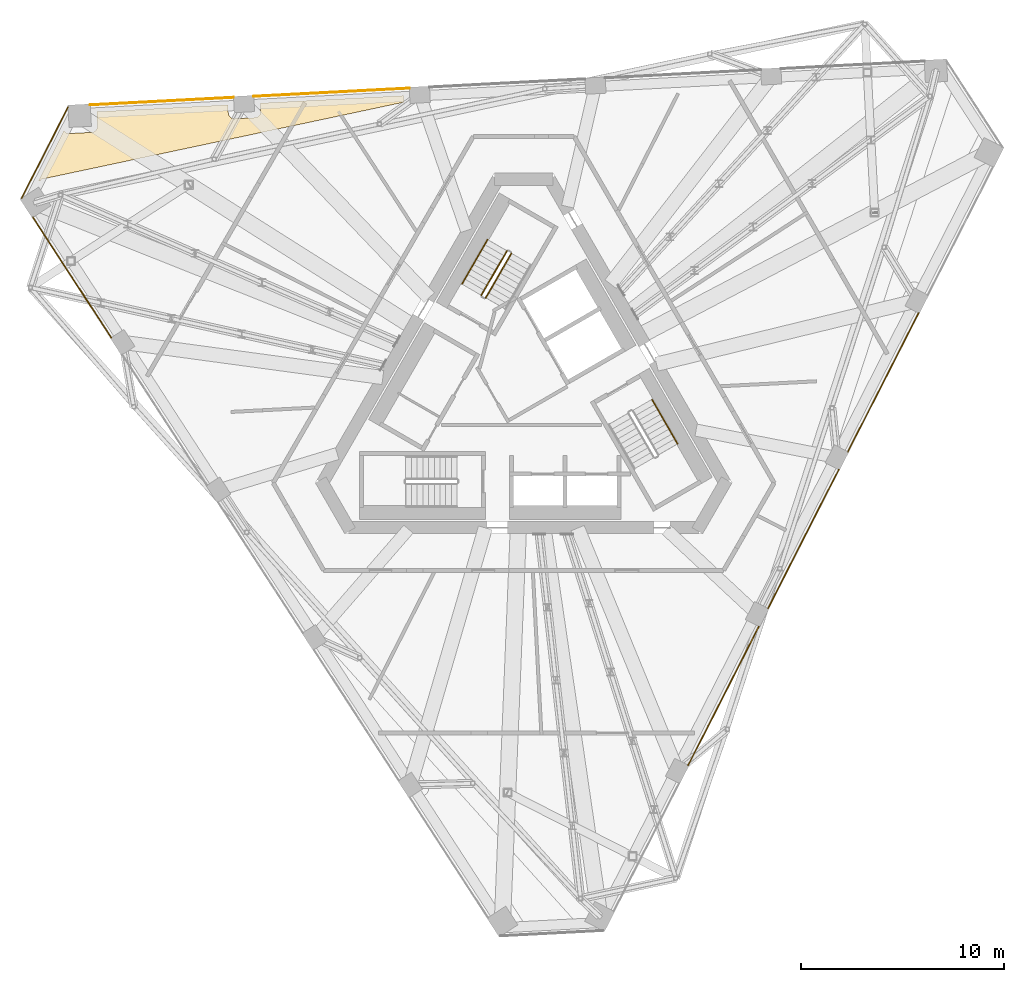
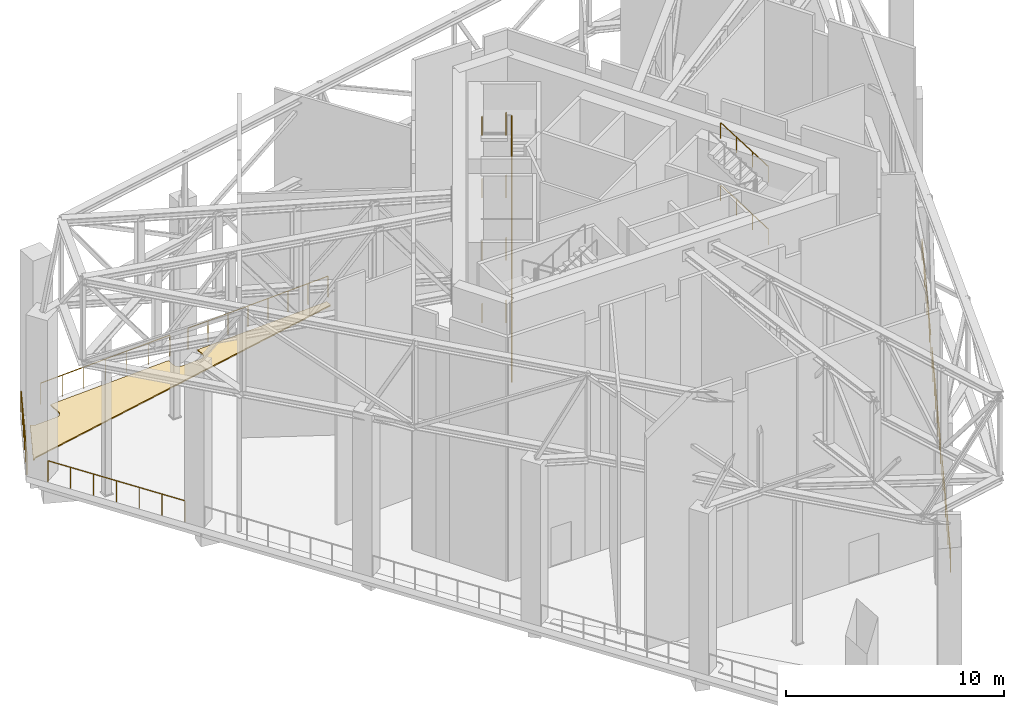
# One storey, part 22 of 23: 21 railings, 2 coverings.
"""IFC4 building model written with IfcOpenShell, lengths in metres."""

from ifc_helpers import new_model, si_unit, direction, frame, origin, origin_2d, place, context, subcontext, project, spatial, polyline, circle, outline, extrude, material, layer, layer_set, type_object, element, save


model = new_model("IFC4")

# Units and contexts
model_context = context("Model", 3, precision=1e-05, world=origin(), true_north=direction((0.0, 1.0)))
body_context = subcontext(model_context, "Body", "Model", "MODEL_VIEW")
ifc_project = project(units=[si_unit("LENGTHUNIT", "METRE"), si_unit("AREAUNIT", "SQUARE_METRE"), si_unit("VOLUMEUNIT", "CUBIC_METRE"), si_unit("PLANEANGLEUNIT", "RADIAN"), si_unit("MASSUNIT", "GRAM", prefix="KILO")], contexts=[model_context])

# Site, building, storey
site_placement = place(None, origin())
site = spatial("IfcSite", under=ifc_project, at=site_placement, CompositionType="ELEMENT")
building_placement = place(site_placement, origin())
building = spatial("IfcBuilding", under=site, at=building_placement, Name="Tramontana Tower", CompositionType="ELEMENT")
storey_placement = place(building_placement, frame((0.0, 0.0, 306.39990234375)))
storey = spatial("IfcBuildingStorey", under=building, at=storey_placement, Name="L72", CompositionType="ELEMENT", Elevation=306.39990234375)

# Railings
ifc_material_1 = material(Name="Stainless steel rail and posts", Category="steel")
railing_type_1 = type_object("IfcRailingType", Name="GD4 Portal band guard 1200", PredefinedType="GUARDRAIL", material=ifc_material_1)
railing_1_placement = place(storey_placement, frame((-22.427001953125, 14.245849609375, 0.0)))
element("IfcRailing", 1, at=railing_1_placement, inside=storey, type_object=railing_type_1, Name="Edge guard L72 1", PredefinedType="GUARDRAIL", context=body_context, shape_type="SweptSolid", body=[
    extrude(circle(Radius=0.02392578125, at=origin_2d()), frame((0.0, 0.0, 1.17578125), z_axis=(-0.453966554918, -0.891018724279, 0.0), x_axis=(0.891018724279, -0.453966554918, 0.0)), (0.0, 0.0, 1.0), 5.02294921875),
    extrude(circle(Radius=0.02099609375, at=origin_2d()), origin(), (0.0, 0.0, 1.0), 1.15185546875),
    extrude(circle(Radius=0.02099609375, at=origin_2d()), frame((-0.4560546875, -0.89501953125, 0.0)), (0.0, 0.0, 1.0), 1.15185546875),
    extrude(circle(Radius=0.02099609375, at=origin_2d()), frame((-0.912109375, -1.790283203125, 0.0)), (0.0, 0.0, 1.0), 1.15185546875),
    extrude(circle(Radius=0.02099609375, at=origin_2d()), frame((-1.3681640625, -2.685302734375, 0.0)), (0.0, 0.0, 1.0), 1.15185546875),
    extrude(circle(Radius=0.02099609375, at=origin_2d()), frame((-1.82421875, -3.58056640625, 0.0)), (0.0, 0.0, 1.0), 1.15185546875),
    extrude(circle(Radius=0.02099609375, at=origin_2d()), frame((-2.2802734375, -4.4755859375, 0.0)), (0.0, 0.0, 1.0), 1.15185546875),
])
railing_2_placement = place(storey_placement, frame((-24.150146484375, 8.820556640625, 0.0)))
element("IfcRailing", 2, at=railing_2_placement, inside=storey, type_object=railing_type_1, Name="Edge guard L72 2", PredefinedType="GUARDRAIL", context=body_context, shape_type="SweptSolid", body=[
    extrude(circle(Radius=0.02392578125, at=origin_2d()), frame((0.0, 0.0, 1.17578125), z_axis=(0.54463703186, -0.838671868806, 0.0), x_axis=(0.838671868806, 0.54463703186, 0.0)), (0.0, 0.0, 1.0), 7.06005859375),
    extrude(circle(Radius=0.02099609375, at=origin_2d()), origin(), (0.0, 0.0, 1.0), 1.15185546875),
    extrude(circle(Radius=0.02099609375, at=origin_2d()), frame((0.640869140625, -0.98681640625, 0.0)), (0.0, 0.0, 1.0), 1.15185546875),
    extrude(circle(Radius=0.02099609375, at=origin_2d()), frame((1.28173828125, -1.9736328125, 0.0)), (0.0, 0.0, 1.0), 1.15185546875),
    extrude(circle(Radius=0.02099609375, at=origin_2d()), frame((1.922607421875, -2.96044921875, 0.0)), (0.0, 0.0, 1.0), 1.15185546875),
    extrude(circle(Radius=0.02099609375, at=origin_2d()), frame((2.5634765625, -3.947509765625, 0.0)), (0.0, 0.0, 1.0), 1.15185546875),
    extrude(circle(Radius=0.02099609375, at=origin_2d()), frame((3.204345703125, -4.934326171875, 0.0)), (0.0, 0.0, 1.0), 1.15185546875),
    extrude(circle(Radius=0.02099609375, at=origin_2d()), frame((3.84521484375, -5.921142578125, 0.0)), (0.0, 0.0, 1.0), 1.15185546875),
])
railing_3_placement = place(storey_placement, frame((-14.280517578125, 14.722900390625, 0.0)))
element("IfcRailing", 3, at=railing_3_placement, inside=storey, type_object=railing_type_1, Name="Edge guard L72 3", PredefinedType="GUARDRAIL", context=body_context, shape_type="SweptSolid", body=[
    extrude(circle(Radius=0.02392578125, at=origin_2d()), frame((0.0, 0.0, 1.17578125), z_axis=(-0.998628602504, -0.052353741618, 0.0), x_axis=(0.052353741618, -0.998628602504, 0.0)), (0.0, 0.0, 1.0), 7.060302734375),
    extrude(circle(Radius=0.02099609375, at=origin_2d()), origin(), (0.0, 0.0, 1.0), 1.15185546875),
    extrude(circle(Radius=0.02099609375, at=origin_2d()), frame((-1.175048828125, -0.0615234375, 0.0)), (0.0, 0.0, 1.0), 1.15185546875),
    extrude(circle(Radius=0.02099609375, at=origin_2d()), frame((-2.35009765625, -0.123291015625, 0.0)), (0.0, 0.0, 1.0), 1.15185546875),
    extrude(circle(Radius=0.02099609375, at=origin_2d()), frame((-3.525390625, -0.184814453125, 0.0)), (0.0, 0.0, 1.0), 1.15185546875),
    extrude(circle(Radius=0.02099609375, at=origin_2d()), frame((-4.700439453125, -0.246337890625, 0.0)), (0.0, 0.0, 1.0), 1.15185546875),
    extrude(circle(Radius=0.02099609375, at=origin_2d()), frame((-5.87548828125, -0.30810546875, 0.0)), (0.0, 0.0, 1.0), 1.15185546875),
    extrude(circle(Radius=0.02099609375, at=origin_2d()), frame((-7.050537109375, -0.36962890625, 0.0)), (0.0, 0.0, 1.0), 1.15185546875),
])
railing_4_placement = place(storey_placement, frame((-5.632080078125, 15.176025390625, 0.0)))
element("IfcRailing", 4, at=railing_4_placement, inside=storey, type_object=railing_type_1, Name="Edge guard L72 6", PredefinedType="GUARDRAIL", context=body_context, shape_type="SweptSolid", body=[
    extrude(circle(Radius=0.02392578125, at=origin_2d()), frame((0.0, 0.0, 1.17578125), z_axis=(-0.998629689578, -0.052333001956, 0.0), x_axis=(0.052333001956, -0.998629689578, 0.0)), (0.0, 0.0, 1.0), 7.66015625),
    extrude(circle(Radius=0.02099609375, at=origin_2d()), origin(), (0.0, 0.0, 1.0), 1.15185546875),
    extrude(circle(Radius=0.02099609375, at=origin_2d()), frame((-1.0927734375, -0.057373046875, 0.0)), (0.0, 0.0, 1.0), 1.15185546875),
    extrude(circle(Radius=0.02099609375, at=origin_2d()), frame((-2.185546875, -0.114501953125, 0.0)), (0.0, 0.0, 1.0), 1.15185546875),
    extrude(circle(Radius=0.02099609375, at=origin_2d()), frame((-3.2783203125, -0.171875, 0.0)), (0.0, 0.0, 1.0), 1.15185546875),
    extrude(circle(Radius=0.02099609375, at=origin_2d()), frame((-4.371337890625, -0.22900390625, 0.0)), (0.0, 0.0, 1.0), 1.15185546875),
    extrude(circle(Radius=0.02099609375, at=origin_2d()), frame((-5.464111328125, -0.286376953125, 0.0)), (0.0, 0.0, 1.0), 1.15185546875),
    extrude(circle(Radius=0.02099609375, at=origin_2d()), frame((-6.556884765625, -0.343505859375, 0.0)), (0.0, 0.0, 1.0), 1.15185546875),
    extrude(circle(Radius=0.02099609375, at=origin_2d()), frame((-7.649658203125, -0.40087890625, 0.0)), (0.0, 0.0, 1.0), 1.15185546875),
])
for number, where, name in (
    (5, (8.095458984375, -18.14306640625, 0.0), "Edge guard L72 13"),
    (6, (12.027099609375, -10.4267578125, 0.0), "Edge guard L72 14"),
):
    element("IfcRailing", number, at=place(storey_placement, frame(where)), inside=storey, type_object=railing_type_1, Name=name, PredefinedType="GUARDRAIL", context=body_context, shape_type="SweptSolid", body=[
        extrude(circle(Radius=0.02392578125, at=origin_2d()), frame((0.0, 0.0, 1.17578125), z_axis=(0.454008376713, 0.89099741519, 0.0), x_axis=(-0.89099741519, 0.454008376713, 0.0)), (0.0, 0.0, 1.0), 7.66015625),
        extrude(circle(Radius=0.02099609375, at=origin_2d()), origin(), (0.0, 0.0, 1.0), 1.15185546875),
        extrude(circle(Radius=0.02099609375, at=origin_2d()), frame((0.496826171875, 0.97509765625, 0.0)), (0.0, 0.0, 1.0), 1.15185546875),
        extrude(circle(Radius=0.02099609375, at=origin_2d()), frame((0.99365234375, 1.949951171875, 0.0)), (0.0, 0.0, 1.0), 1.15185546875),
        extrude(circle(Radius=0.02099609375, at=origin_2d()), frame((1.490478515625, 2.925048828125, 0.0)), (0.0, 0.0, 1.0), 1.15185546875),
        extrude(circle(Radius=0.02099609375, at=origin_2d()), frame((1.9873046875, 3.900146484375, 0.0)), (0.0, 0.0, 1.0), 1.15185546875),
        extrude(circle(Radius=0.02099609375, at=origin_2d()), frame((2.484130859375, 4.875244140625, 0.0)), (0.0, 0.0, 1.0), 1.15185546875),
        extrude(circle(Radius=0.02099609375, at=origin_2d()), frame((2.98095703125, 5.85009765625, 0.0)), (0.0, 0.0, 1.0), 1.15185546875),
        extrude(circle(Radius=0.02099609375, at=origin_2d()), frame((3.477783203125, 6.8251953125, 0.0)), (0.0, 0.0, 1.0), 1.15185546875),
    ])
railing_5_placement = place(storey_placement, frame((15.958984375, -2.71044921875, 0.0)))
element("IfcRailing", 7, at=railing_5_placement, inside=storey, type_object=railing_type_1, Name="Edge guard L72 16", PredefinedType="GUARDRAIL", context=body_context, shape_type="SweptSolid", body=[
    extrude(circle(Radius=0.02392578125, at=origin_2d()), frame((0.0, 0.0, 1.17578125), z_axis=(0.453983074196, 0.891010307653, 0.0), x_axis=(-0.891010307653, 0.453983074196, 0.0)), (0.0, 0.0, 1.0), 7.66015625),
    extrude(circle(Radius=0.02099609375, at=origin_2d()), origin(), (0.0, 0.0, 1.0), 1.15185546875),
    extrude(circle(Radius=0.02099609375, at=origin_2d()), frame((0.496826171875, 0.97509765625, 0.0)), (0.0, 0.0, 1.0), 1.15185546875),
    extrude(circle(Radius=0.02099609375, at=origin_2d()), frame((0.99365234375, 1.949951171875, 0.0)), (0.0, 0.0, 1.0), 1.15185546875),
    extrude(circle(Radius=0.02099609375, at=origin_2d()), frame((1.490478515625, 2.925048828125, 0.0)), (0.0, 0.0, 1.0), 1.15185546875),
    extrude(circle(Radius=0.02099609375, at=origin_2d()), frame((1.987060546875, 3.900146484375, 0.0)), (0.0, 0.0, 1.0), 1.15185546875),
    extrude(circle(Radius=0.02099609375, at=origin_2d()), frame((2.48388671875, 4.875244140625, 0.0)), (0.0, 0.0, 1.0), 1.15185546875),
    extrude(circle(Radius=0.02099609375, at=origin_2d()), frame((2.980712890625, 5.85009765625, 0.0)), (0.0, 0.0, 1.0), 1.15185546875),
    extrude(circle(Radius=0.02099609375, at=origin_2d()), frame((3.4775390625, 6.8251953125, 0.0)), (0.0, 0.0, 1.0), 1.15185546875),
])

# Covering
ifc_material_2 = material(Name="Limestone paving 60", Category="masonry")
ifc_layer_1 = layer(ifc_material_2, 0.06005859375)
ifc_layer_set_1 = layer_set([ifc_layer_1], Name="PV1 Terrace paving 60")
covering_type_1 = type_object("IfcCoveringType", Name="PV1 Terrace paving 60", PredefinedType="FLOORING", material=ifc_layer_set_1)
covering_1_placement = place(storey_placement, frame((0.0, 0.0, 0.010009765625)))
element("IfcCovering", 8, at=covering_1_placement, inside=storey, type_object=covering_type_1, Name="Terrace paving L72 1", PredefinedType="FLOORING", context=body_context, shape_type="SweptSolid", body=[
    extrude(outline(polyline([(-22.6259765625, 13.083984375), (-22.614990234375, 13.067626953125), (-22.59619140625, 13.044921875), (-22.575439453125, 13.024169921875), (-22.552490234375, 13.005615234375), (-22.528076171875, 12.9892578125), (-22.501953125, 12.9755859375), (-22.474853515625, 12.96435546875), (-22.446533203125, 12.955810546875), (-22.417724609375, 12.9501953125), (-22.388427734375, 12.947509765625), (-22.35888671875, 12.947509765625), (-21.260498046875, 13.005126953125), (-21.231201171875, 13.008056640625), (-21.2021484375, 13.013916015625), (-21.174072265625, 13.022705078125), (-21.14697265625, 13.033935546875), (-21.12109375, 13.0478515625), (-21.0966796875, 13.064453125), (-21.073974609375, 13.0830078125), (-21.05322265625, 13.10400390625), (-21.03466796875, 13.126708984375), (-21.018310546875, 13.1513671875), (-21.00439453125, 13.17724609375), (-20.993408203125, 13.20458984375), (-20.98486328125, 13.232666015625), (-20.979248046875, 13.26171875), (-20.976318359375, 13.291015625), (-20.9765625, 13.3203125), (-21.01318359375, 14.01953125), (-14.561767578125, 14.357666015625), (-14.540771484375, 13.9580078125), (-14.537841796875, 13.9287109375), (-14.531982421875, 13.89990234375), (-14.5234375, 13.871826171875), (-14.511962890625, 13.8447265625), (-14.498046875, 13.81884765625), (-14.481689453125, 13.79443359375), (-14.462890625, 13.771728515625), (-14.44189453125, 13.7509765625), (-14.419189453125, 13.732177734375), (-14.39453125, 13.716064453125), (-14.36865234375, 13.7021484375), (-14.34130859375, 13.69091796875), (-14.313232421875, 13.6826171875), (-14.2841796875, 13.677001953125), (-14.2548828125, 13.674072265625), (-14.2255859375, 13.67431640625), (-13.226806640625, 13.7265625), (-13.197509765625, 13.7294921875), (-13.168701171875, 13.7353515625), (-13.140625, 13.744140625), (-13.113525390625, 13.75537109375), (-13.087646484375, 13.769287109375), (-13.06298828125, 13.785888671875), (-13.04052734375, 13.804443359375), (-13.019775390625, 13.825439453125), (-13.0009765625, 13.84814453125), (-12.98486328125, 13.872802734375), (-12.970947265625, 13.898681640625), (-12.959716796875, 13.926025390625), (-12.951416015625, 13.9541015625), (-12.94580078125, 13.983154296875), (-12.94287109375, 14.012451171875), (-12.943115234375, 14.041748046875), (-12.9638671875, 14.44140625), (-5.913330078125, 14.810791015625), (-5.896484375, 14.49072265625), (-23.758056640625, 10.694091796875), (-23.78759765625, 10.603515625), (-23.80615234375, 10.6083984375), (-23.835205078125, 10.613037109375), (-23.86474609375, 10.614990234375), (-23.884521484375, 10.6142578125), (-22.6259765625, 13.083984375)])), origin(), (0.0, 0.0, 1.0), 0.06005859375),
])

# Railings
ifc_material_3 = material(Name="Painted steel", Category="steel")
railing_type_2 = type_object("IfcRailingType", Name="STAIR GUARD 1100", PredefinedType="GUARDRAIL", material=ifc_material_3)
railing_6_placement = place(storey_placement, frame((-1.867431640625, 4.865478515625, 0.175048828125)))
element("IfcRailing", 9, at=railing_6_placement, inside=storey, type_object=railing_type_2, Name="L72 ST1 stair guard 1", PredefinedType="GUARDRAIL", context=body_context, shape_type="SweptSolid", body=[
    extrude(circle(Radius=0.02392578125, at=origin_2d()), frame((0.0, 0.0, 1.076171875), z_axis=(0.42400668935, 0.73439174503, 0.529987822708), x_axis=(-0.866022637375, 0.500004791531, 0.0)), (0.0, 0.0, 1.0), 2.9716796875),
    extrude(circle(Radius=0.02099609375, at=origin_2d()), origin(), (0.0, 0.0, 1.0), 1.052001953125),
    extrude(circle(Radius=0.02099609375, at=origin_2d()), frame((0.419921875, 0.7275390625, 0.52490234375)), (0.0, 0.0, 1.0), 1.052001953125),
    extrude(circle(Radius=0.02099609375, at=origin_2d()), frame((0.840087890625, 1.454833984375, 1.050048828125)), (0.0, 0.0, 1.0), 1.052001953125),
    extrude(circle(Radius=0.02099609375, at=origin_2d()), frame((1.260009765625, 2.182373046875, 1.574951171875)), (0.0, 0.0, 1.0), 1.052001953125),
])
railing_7_placement = place(storey_placement, frame((-0.823974609375, 7.1728515625, 1.925048828125)))
element("IfcRailing", 10, at=railing_7_placement, inside=storey, type_object=railing_type_2, Name="L72 ST1 stair guard 2", PredefinedType="GUARDRAIL", context=body_context, shape_type="SweptSolid", body=[
    extrude(circle(Radius=0.02392578125, at=origin_2d()), frame((0.0, 0.0, 1.076171875), z_axis=(-0.42400668935, -0.73439174503, 0.529987822708), x_axis=(0.866022637375, -0.500004791531, 0.0)), (0.0, 0.0, 1.0), 2.9716796875),
    extrude(circle(Radius=0.02099609375, at=origin_2d()), origin(), (0.0, 0.0, 1.0), 1.052001953125),
    extrude(circle(Radius=0.02099609375, at=origin_2d()), frame((-0.419921875, -0.7275390625, 0.52490234375)), (0.0, 0.0, 1.0), 1.052001953125),
    extrude(circle(Radius=0.02099609375, at=origin_2d()), frame((-0.840087890625, -1.454833984375, 1.050048828125)), (0.0, 0.0, 1.0), 1.052001953125),
    extrude(circle(Radius=0.02099609375, at=origin_2d()), frame((-1.260009765625, -2.182373046875, 1.574951171875)), (0.0, 0.0, 1.0), 1.052001953125),
])
railing_8_placement = place(storey_placement, frame((-1.867431640625, 4.865478515625, 3.675048828125)))
element("IfcRailing", 11, at=railing_8_placement, inside=storey, type_object=railing_type_2, Name="L72 ST1 stair guard 3", PredefinedType="GUARDRAIL", context=body_context, shape_type="SweptSolid", body=[
    extrude(circle(Radius=0.02392578125, at=origin_2d()), frame((0.0, 0.0, 1.076171875), z_axis=(0.42400668935, 0.73439174503, 0.529987822708), x_axis=(-0.866022637375, 0.500004791531, 0.0)), (0.0, 0.0, 1.0), 2.9716796875),
    extrude(circle(Radius=0.02099609375, at=origin_2d()), origin(), (0.0, 0.0, 1.0), 1.052001953125),
    extrude(circle(Radius=0.02099609375, at=origin_2d()), frame((0.419921875, 0.7275390625, 0.52490234375)), (0.0, 0.0, 1.0), 1.052001953125),
    extrude(circle(Radius=0.02099609375, at=origin_2d()), frame((0.840087890625, 1.454833984375, 1.050048828125)), (0.0, 0.0, 1.0), 1.052001953125),
    extrude(circle(Radius=0.02099609375, at=origin_2d()), frame((1.260009765625, 2.182373046875, 1.574951171875)), (0.0, 0.0, 1.0), 1.052001953125),
])
railing_9_placement = place(storey_placement, frame((-0.823974609375, 7.1728515625, 5.425048828125)))
element("IfcRailing", 12, at=railing_9_placement, inside=storey, type_object=railing_type_2, Name="L72 ST1 stair guard 4", PredefinedType="GUARDRAIL", context=body_context, shape_type="SweptSolid", body=[
    extrude(circle(Radius=0.02392578125, at=origin_2d()), frame((0.0, 0.0, 1.076171875), z_axis=(-0.42400668935, -0.73439174503, 0.529987822708), x_axis=(0.866022637375, -0.500004791531, 0.0)), (0.0, 0.0, 1.0), 2.9716796875),
    extrude(circle(Radius=0.02099609375, at=origin_2d()), origin(), (0.0, 0.0, 1.0), 1.052001953125),
    extrude(circle(Radius=0.02099609375, at=origin_2d()), frame((-0.419921875, -0.7275390625, 0.52490234375)), (0.0, 0.0, 1.0), 1.052001953125),
    extrude(circle(Radius=0.02099609375, at=origin_2d()), frame((-0.840087890625, -1.454833984375, 1.050048828125)), (0.0, 0.0, 1.0), 1.052001953125),
    extrude(circle(Radius=0.02099609375, at=origin_2d()), frame((-1.260009765625, -2.182373046875, 1.574951171875)), (0.0, 0.0, 1.0), 1.052001953125),
])
railing_10_placement = place(storey_placement, frame((-1.867431640625, 4.865478515625, 7.175048828125)))
element("IfcRailing", 13, at=railing_10_placement, inside=storey, type_object=railing_type_2, Name="L72 ST1 stair guard 5", PredefinedType="GUARDRAIL", context=body_context, shape_type="SweptSolid", body=[
    extrude(circle(Radius=0.02392578125, at=origin_2d()), frame((0.0, 0.0, 1.076171875), z_axis=(0.42400668935, 0.73439174503, 0.529987822708), x_axis=(-0.866022637375, 0.500004791531, 0.0)), (0.0, 0.0, 1.0), 2.9716796875),
    extrude(circle(Radius=0.02099609375, at=origin_2d()), origin(), (0.0, 0.0, 1.0), 1.052001953125),
    extrude(circle(Radius=0.02099609375, at=origin_2d()), frame((0.419921875, 0.7275390625, 0.52490234375)), (0.0, 0.0, 1.0), 1.052001953125),
    extrude(circle(Radius=0.02099609375, at=origin_2d()), frame((0.840087890625, 1.454833984375, 1.050048828125)), (0.0, 0.0, 1.0), 1.052001953125),
    extrude(circle(Radius=0.02099609375, at=origin_2d()), frame((1.260009765625, 2.182373046875, 1.574951171875)), (0.0, 0.0, 1.0), 1.052001953125),
])
railing_11_placement = place(storey_placement, frame((-0.823974609375, 7.1728515625, 8.925048828125)))
element("IfcRailing", 14, at=railing_11_placement, inside=storey, type_object=railing_type_2, Name="L72 ST1 stair guard 6", PredefinedType="GUARDRAIL", context=body_context, shape_type="SweptSolid", body=[
    extrude(circle(Radius=0.02392578125, at=origin_2d()), frame((0.0, 0.0, 1.076171875), z_axis=(-0.42400668935, -0.73439174503, 0.529987822708), x_axis=(0.866022637375, -0.500004791531, 0.0)), (0.0, 0.0, 1.0), 2.9716796875),
    extrude(circle(Radius=0.02099609375, at=origin_2d()), origin(), (0.0, 0.0, 1.0), 1.052001953125),
    extrude(circle(Radius=0.02099609375, at=origin_2d()), frame((-0.419921875, -0.7275390625, 0.52490234375)), (0.0, 0.0, 1.0), 1.052001953125),
    extrude(circle(Radius=0.02099609375, at=origin_2d()), frame((-0.840087890625, -1.454833984375, 1.050048828125)), (0.0, 0.0, 1.0), 1.052001953125),
    extrude(circle(Radius=0.02099609375, at=origin_2d()), frame((-1.260009765625, -2.182373046875, 1.574951171875)), (0.0, 0.0, 1.0), 1.052001953125),
])
railing_12_placement = place(storey_placement, frame((-1.867431640625, 4.865478515625, 10.675048828125)))
element("IfcRailing", 15, at=railing_12_placement, inside=storey, type_object=railing_type_2, Name="L72 ST1 stair guard 7", PredefinedType="GUARDRAIL", context=body_context, shape_type="SweptSolid", body=[
    extrude(circle(Radius=0.02392578125, at=origin_2d()), frame((0.0, 0.0, 1.076171875), z_axis=(0.42400668935, 0.73439174503, 0.529987822708), x_axis=(-0.866022637375, 0.500004791531, 0.0)), (0.0, 0.0, 1.0), 2.9716796875),
    extrude(circle(Radius=0.02099609375, at=origin_2d()), origin(), (0.0, 0.0, 1.0), 1.052001953125),
    extrude(circle(Radius=0.02099609375, at=origin_2d()), frame((0.419921875, 0.7275390625, 0.52490234375)), (0.0, 0.0, 1.0), 1.052001953125),
    extrude(circle(Radius=0.02099609375, at=origin_2d()), frame((0.840087890625, 1.454833984375, 1.050048828125)), (0.0, 0.0, 1.0), 1.052001953125),
    extrude(circle(Radius=0.02099609375, at=origin_2d()), frame((1.260009765625, 2.182373046875, 1.574951171875)), (0.0, 0.0, 1.0), 1.052001953125),
])
railing_13_placement = place(storey_placement, frame((-0.823974609375, 7.1728515625, 12.425048828125)))
element("IfcRailing", 16, at=railing_13_placement, inside=storey, type_object=railing_type_2, Name="L72 ST1 stair guard 8", PredefinedType="GUARDRAIL", context=body_context, shape_type="SweptSolid", body=[
    extrude(circle(Radius=0.02392578125, at=origin_2d()), frame((0.0, 0.0, 1.076171875), z_axis=(-0.42400668935, -0.73439174503, 0.529987822708), x_axis=(0.866022637375, -0.500004791531, 0.0)), (0.0, 0.0, 1.0), 2.9716796875),
    extrude(circle(Radius=0.02099609375, at=origin_2d()), origin(), (0.0, 0.0, 1.0), 1.052001953125),
    extrude(circle(Radius=0.02099609375, at=origin_2d()), frame((-0.419921875, -0.7275390625, 0.52490234375)), (0.0, 0.0, 1.0), 1.052001953125),
    extrude(circle(Radius=0.02099609375, at=origin_2d()), frame((-0.840087890625, -1.454833984375, 1.050048828125)), (0.0, 0.0, 1.0), 1.052001953125),
    extrude(circle(Radius=0.02099609375, at=origin_2d()), frame((-1.260009765625, -2.182373046875, 1.574951171875)), (0.0, 0.0, 1.0), 1.052001953125),
])
ifc_material_4 = material(Name="Painted steel", Category="steel")
railing_type_3 = type_object("IfcRailingType", Name="STAIR HANDRAIL 900", PredefinedType="HANDRAIL", material=ifc_material_4)
for number, where, name in (
    (17, (-1.776611328125, 7.722900390625, 1.925048828125), "L72 ST1 stair handrail 2"),
    (18, (-1.776611328125, 7.722900390625, 5.425048828125), "L72 ST1 stair handrail 4"),
    (19, (-1.776611328125, 7.722900390625, 8.925048828125), "L72 ST1 stair handrail 6"),
    (20, (-1.776611328125, 7.722900390625, 12.425048828125), "L72 ST1 stair handrail 8"),
):
    element("IfcRailing", number, at=place(storey_placement, frame(where)), inside=storey, type_object=railing_type_3, Name=name, PredefinedType="HANDRAIL", context=body_context, shape_type="SweptSolid", body=[
        extrude(circle(Radius=0.02392578125, at=origin_2d()), frame((0.0, 0.0, 0.8759765625), z_axis=(-0.42400668935, -0.73439174503, 0.529987822708), x_axis=(0.866022637375, -0.500004791531, 0.0)), (0.0, 0.0, 1.0), 2.9716796875),
        extrude(circle(Radius=0.02099609375, at=origin_2d()), origin(), (0.0, 0.0, 1.0), 0.851806640625),
        extrude(circle(Radius=0.02099609375, at=origin_2d()), frame((-0.419921875, -0.7275390625, 0.52490234375)), (0.0, 0.0, 1.0), 0.851806640625),
        extrude(circle(Radius=0.02099609375, at=origin_2d()), frame((-0.840087890625, -1.454833984375, 1.050048828125)), (0.0, 0.0, 1.0), 0.851806640625),
        extrude(circle(Radius=0.02099609375, at=origin_2d()), frame((-1.260009765625, -2.182373046875, 1.574951171875)), (0.0, 0.0, 1.0), 0.851806640625),
    ])
for number, where, name in (
    (21, (7.576416015625, -2.322998046875, 8.925048828125), "L72 ST3 stair handrail 6"),
    (22, (7.576416015625, -2.322998046875, 12.425048828125), "L72 ST3 stair handrail 8"),
):
    element("IfcRailing", number, at=place(storey_placement, frame(where)), inside=storey, type_object=railing_type_3, Name=name, PredefinedType="HANDRAIL", context=body_context, shape_type="SweptSolid", body=[
        extrude(circle(Radius=0.02392578125, at=origin_2d()), frame((0.0, 0.0, 0.8759765625), z_axis=(-0.42393930004, 0.734417326174, 0.530006283829), x_axis=(-0.866064587494, -0.499932125682, 0.0)), (0.0, 0.0, 1.0), 2.9716796875),
        extrude(circle(Radius=0.02099609375, at=origin_2d()), origin(), (0.0, 0.0, 1.0), 0.851806640625),
        extrude(circle(Radius=0.02099609375, at=origin_2d()), frame((-0.419921875, 0.7275390625, 0.52490234375)), (0.0, 0.0, 1.0), 0.851806640625),
        extrude(circle(Radius=0.02099609375, at=origin_2d()), frame((-0.83984375, 1.454833984375, 1.050048828125)), (0.0, 0.0, 1.0), 0.851806640625),
        extrude(circle(Radius=0.02099609375, at=origin_2d()), frame((-1.259765625, 2.182373046875, 1.574951171875)), (0.0, 0.0, 1.0), 0.851806640625),
    ])

# Covering
ifc_material_5 = material(Name="Bituminous waterproofing membrane")
ifc_layer_2 = layer(ifc_material_5, 0.010009765625)
ifc_layer_set_2 = layer_set([ifc_layer_2], Name="WP1 Terrace waterproofing membrane 10")
covering_type_2 = type_object("IfcCoveringType", Name="WP1 Terrace waterproofing membrane 10", PredefinedType="MEMBRANE", material=ifc_layer_set_2)
covering_2_placement = place(storey_placement, origin())
element("IfcCovering", 23, at=covering_2_placement, inside=storey, type_object=covering_type_2, Name="Terrace membrane L72 1", PredefinedType="MEMBRANE", context=body_context, shape_type="SweptSolid", body=[
    extrude(outline(polyline([(-22.6259765625, 13.083984375), (-22.614990234375, 13.067626953125), (-22.59619140625, 13.044921875), (-22.575439453125, 13.024169921875), (-22.552490234375, 13.005615234375), (-22.528076171875, 12.9892578125), (-22.501953125, 12.9755859375), (-22.474853515625, 12.96435546875), (-22.446533203125, 12.955810546875), (-22.417724609375, 12.9501953125), (-22.388427734375, 12.947509765625), (-22.35888671875, 12.947509765625), (-21.260498046875, 13.005126953125), (-21.231201171875, 13.008056640625), (-21.2021484375, 13.013916015625), (-21.174072265625, 13.022705078125), (-21.14697265625, 13.033935546875), (-21.12109375, 13.0478515625), (-21.0966796875, 13.064453125), (-21.073974609375, 13.0830078125), (-21.05322265625, 13.10400390625), (-21.03466796875, 13.126708984375), (-21.018310546875, 13.1513671875), (-21.00439453125, 13.17724609375), (-20.993408203125, 13.20458984375), (-20.98486328125, 13.232666015625), (-20.979248046875, 13.26171875), (-20.976318359375, 13.291015625), (-20.9765625, 13.3203125), (-21.01318359375, 14.01953125), (-14.561767578125, 14.357666015625), (-14.540771484375, 13.9580078125), (-14.537841796875, 13.9287109375), (-14.531982421875, 13.89990234375), (-14.5234375, 13.871826171875), (-14.511962890625, 13.8447265625), (-14.498046875, 13.81884765625), (-14.481689453125, 13.79443359375), (-14.462890625, 13.771728515625), (-14.44189453125, 13.7509765625), (-14.419189453125, 13.732177734375), (-14.39453125, 13.716064453125), (-14.36865234375, 13.7021484375), (-14.34130859375, 13.69091796875), (-14.313232421875, 13.6826171875), (-14.2841796875, 13.677001953125), (-14.2548828125, 13.674072265625), (-14.2255859375, 13.67431640625), (-13.226806640625, 13.7265625), (-13.197509765625, 13.7294921875), (-13.168701171875, 13.7353515625), (-13.140625, 13.744140625), (-13.113525390625, 13.75537109375), (-13.087646484375, 13.769287109375), (-13.06298828125, 13.785888671875), (-13.04052734375, 13.804443359375), (-13.019775390625, 13.825439453125), (-13.0009765625, 13.84814453125), (-12.98486328125, 13.872802734375), (-12.970947265625, 13.898681640625), (-12.959716796875, 13.926025390625), (-12.951416015625, 13.9541015625), (-12.94580078125, 13.983154296875), (-12.94287109375, 14.012451171875), (-12.943115234375, 14.041748046875), (-12.9638671875, 14.44140625), (-5.913330078125, 14.810791015625), (-5.896484375, 14.49072265625), (-23.758056640625, 10.694091796875), (-23.78759765625, 10.603515625), (-23.80615234375, 10.6083984375), (-23.835205078125, 10.613037109375), (-23.86474609375, 10.614990234375), (-23.884521484375, 10.6142578125), (-22.6259765625, 13.083984375)])), origin(), (0.0, 0.0, 1.0), 0.010009765625),
])

save(model, "model.ifc")
